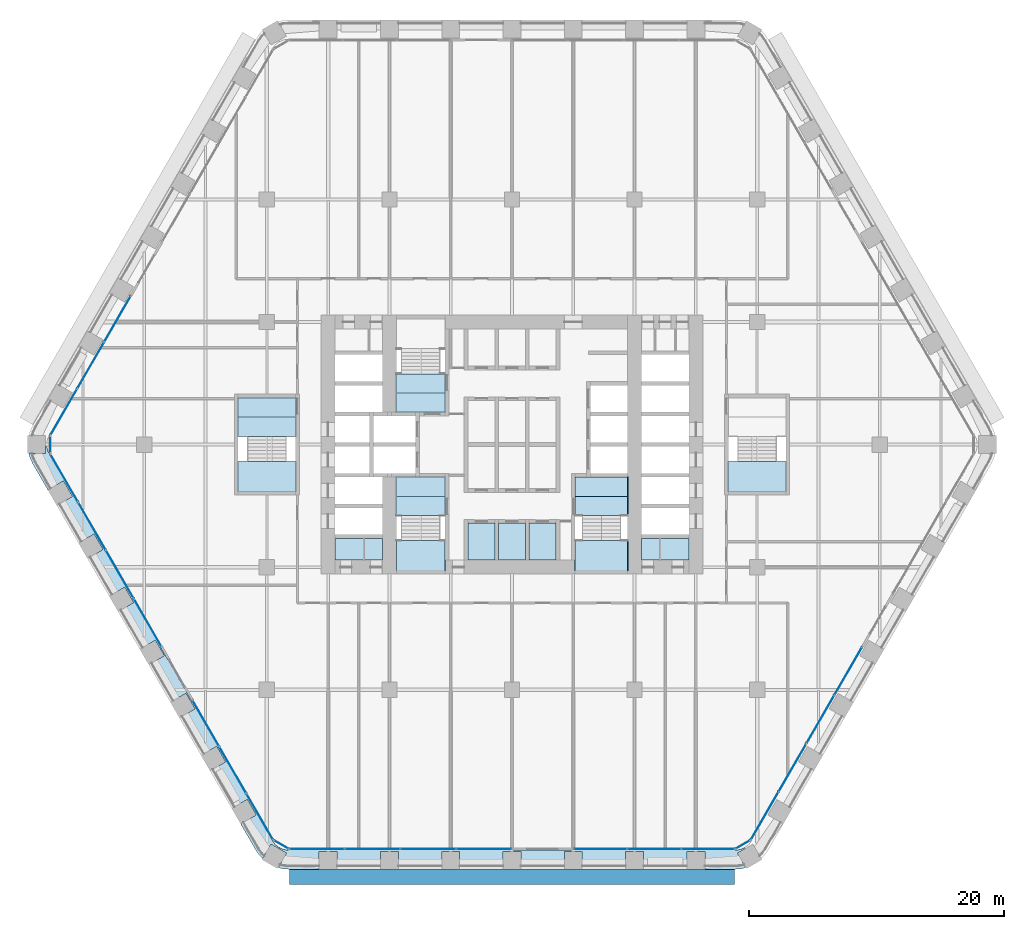
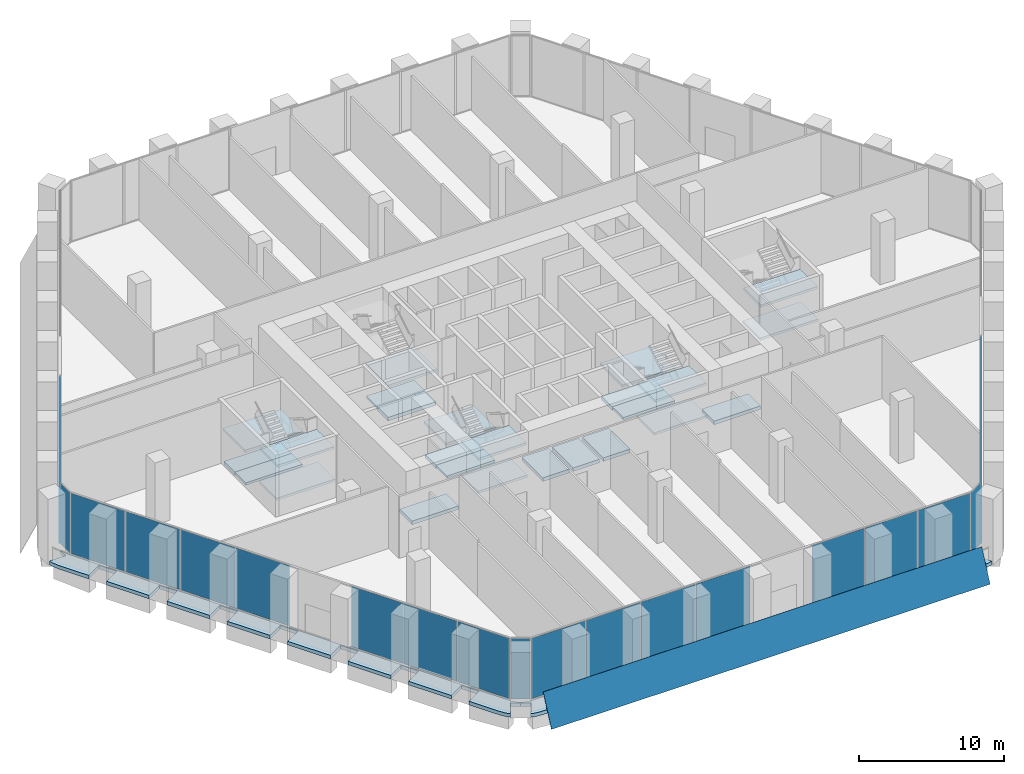
# One storey, part 15 of 27: 27 slabs, 25 plates, 14 elements without a shape of their own.
"""IFC4 building model written with IfcOpenShell, lengths in metres."""

from ifc_helpers import new_model, si_unit, direction, frame, origin, origin_2d, place, context, subcontext, project, spatial, polyline, rectangle, outline, extrude, material, layer, layer_set, type_object, element, aggregate, save


model = new_model("IFC4")

# Units and contexts
model_context = context("Model", 3, precision=1e-05, world=origin(), true_north=direction((0.0, 1.0)))
body_context = subcontext(model_context, "Body", "Model", "MODEL_VIEW")
ifc_project = project(units=[si_unit("LENGTHUNIT", "METRE"), si_unit("AREAUNIT", "SQUARE_METRE"), si_unit("VOLUMEUNIT", "CUBIC_METRE"), si_unit("PLANEANGLEUNIT", "RADIAN"), si_unit("MASSUNIT", "GRAM", prefix="KILO")], contexts=[model_context])

# Site, building, storey
site_placement = place(None, origin())
site = spatial("IfcSite", under=ifc_project, at=site_placement, CompositionType="ELEMENT")
building_placement = place(site_placement, origin())
building = spatial("IfcBuilding", under=site, at=building_placement, Name="Kolab Exchange Tower", CompositionType="ELEMENT")
storey_placement = place(building_placement, frame((0.0, 0.0, 66.39990234375)))
storey = spatial("IfcBuildingStorey", under=building, at=storey_placement, Name="L12", CompositionType="ELEMENT", Elevation=66.39990234375)

# Slabs
ifc_material_1 = material(Name="Concrete C35/45", Category="concrete")
ifc_layer_1 = layer(ifc_material_1, 0.300048828125)
ifc_layer_set_1 = layer_set([ifc_layer_1], Name="Concrete C35/45")
slab_type_1 = type_object("IfcSlabType", Name="FLOOR SLAB 300", PredefinedType="FLOOR", material=ifc_layer_set_1)
slab_1_placement = place(storey_placement, frame((0.0, 0.0, -0.2998046875)))
element("IfcSlab", 1, at=slab_1_placement, inside=storey, type_object=slab_type_1, Name="slab/L12/floor/8", PredefinedType="FLOOR", context=body_context, shape_type="SweptSolid", body=[
    extrude(outline(polyline([(-21.449951171875, 3.64990234375), (-21.449951171875, 2.14990234375), (-16.949951171875, 2.14990234375), (-16.949951171875, 3.64990234375), (-21.449951171875, 3.64990234375)])), origin(), (0.0, 0.0, 1.0), 0.2998046875),
])
slab_2_placement = place(storey_placement, frame((0.0, 0.0, -0.2998046875)))
element("IfcSlab", 2, at=slab_2_placement, inside=storey, type_object=slab_type_1, Name="slab/L12/floor/10", PredefinedType="FLOOR", context=body_context, shape_type="SweptSolid", body=[
    extrude(outline(polyline([(-10.14990234375, -9.050048828125), (-10.14990234375, -7.35009765625), (-13.85009765625, -7.35009765625), (-13.85009765625, -9.050048828125), (-10.14990234375, -9.050048828125)])), origin(), (0.0, 0.0, 1.0), 0.2998046875),
])
slab_3_placement = place(storey_placement, frame((0.0, 0.0, -0.2998046875)))
element("IfcSlab", 3, at=slab_3_placement, inside=storey, type_object=slab_type_1, Name="slab/L12/floor/12", PredefinedType="FLOOR", context=body_context, shape_type="SweptSolid", body=[
    extrude(outline(polyline([(10.14990234375, -7.35009765625), (10.14990234375, -9.050048828125), (13.85009765625, -9.050048828125), (13.85009765625, -7.35009765625), (10.14990234375, -7.35009765625)])), origin(), (0.0, 0.0, 1.0), 0.2998046875),
])
slab_4_placement = place(storey_placement, frame((0.0, 0.0, -0.2998046875)))
element("IfcSlab", 4, at=slab_4_placement, inside=storey, type_object=slab_type_1, Name="slab/L12/floor/14", PredefinedType="FLOOR", context=body_context, shape_type="SweptSolid", body=[
    extrude(outline(polyline([(9.050048828125, -4.050048828125), (9.050048828125, -2.550048828125), (6.14990234375, -2.550048828125), (5.85009765625, -2.550048828125), (4.949951171875, -2.550048828125), (4.949951171875, -4.050048828125), (9.050048828125, -4.050048828125)])), origin(), (0.0, 0.0, 1.0), 0.2998046875),
])
slab_5_placement = place(storey_placement, frame((0.0, 0.0, -0.2998046875)))
element("IfcSlab", 5, at=slab_5_placement, inside=storey, type_object=slab_type_1, Name="slab/L12/floor/15", PredefinedType="FLOOR", context=body_context, shape_type="SweptSolid", body=[
    extrude(outline(polyline([(1.050048828125, -6.14990234375), (-1.050048828125, -6.14990234375), (-1.050048828125, -9.050048828125), (1.050048828125, -9.050048828125), (1.050048828125, -6.14990234375)])), origin(), (0.0, 0.0, 1.0), 0.2998046875),
])
slab_6_placement = place(storey_placement, frame((0.0, 0.0, -0.2998046875)))
element("IfcSlab", 6, at=slab_6_placement, inside=storey, type_object=slab_type_1, Name="slab/L12/floor/17", PredefinedType="FLOOR", context=body_context, shape_type="SweptSolid", body=[
    extrude(outline(polyline([(-1.35009765625, -6.14990234375), (-3.449951171875, -6.14990234375), (-3.449951171875, -9.050048828125), (-1.35009765625, -9.050048828125), (-1.35009765625, -6.14990234375)])), origin(), (0.0, 0.0, 1.0), 0.2998046875),
])
slab_7_placement = place(storey_placement, frame((0.0, 0.0, -0.2998046875)))
element("IfcSlab", 7, at=slab_7_placement, inside=storey, type_object=slab_type_1, Name="slab/L12/floor/19", PredefinedType="FLOOR", context=body_context, shape_type="SweptSolid", body=[
    extrude(outline(polyline([(1.35009765625, -6.14990234375), (1.35009765625, -9.050048828125), (3.449951171875, -9.050048828125), (3.449951171875, -6.14990234375), (1.35009765625, -6.14990234375)])), origin(), (0.0, 0.0, 1.0), 0.2998046875),
])
slab_8_placement = place(storey_placement, frame((0.0, 0.0, -0.2998046875)))
element("IfcSlab", 8, at=slab_8_placement, inside=storey, type_object=slab_type_1, Name="slab/L12/floor/21", PredefinedType="FLOOR", context=body_context, shape_type="SweptSolid", body=[
    extrude(outline(polyline([(-9.050048828125, -4.050048828125), (-5.25, -4.050048828125), (-5.25, -2.550048828125), (-7.25, -2.550048828125), (-7.550048828125, -2.550048828125), (-9.050048828125, -2.550048828125), (-9.050048828125, -4.050048828125)])), origin(), (0.0, 0.0, 1.0), 0.2998046875),
])
slab_9_placement = place(storey_placement, frame((0.0, 0.0, -0.2998046875)))
element("IfcSlab", 9, at=slab_9_placement, inside=storey, type_object=slab_type_1, Name="slab/L12/floor/22", PredefinedType="FLOOR", context=body_context, shape_type="SweptSolid", body=[
    extrude(outline(polyline([(-5.25, 4.050048828125), (-9.050048828125, 4.050048828125), (-9.050048828125, 2.550048828125), (-7.550048828125, 2.550048828125), (-7.25, 2.550048828125), (-5.25, 2.550048828125), (-5.25, 4.050048828125)])), origin(), (0.0, 0.0, 1.0), 0.2998046875),
])
ifc_layer_2 = layer(ifc_material_1, 0.300048828125)
ifc_layer_set_2 = layer_set([ifc_layer_2], Name="Concrete C35/45")
slab_type_2 = type_object("IfcSlabType", Name="LOGGIA SLAB 300", PredefinedType="FLOOR", material=ifc_layer_set_2)
slab_10_placement = place(storey_placement, frame((0.0, 0.0, -0.2998046875)))
element("IfcSlab", 10, at=slab_10_placement, inside=storey, type_object=slab_type_2, Name="slab/L12/loggia/3-0", PredefinedType="FLOOR", context=body_context, shape_type="SweptSolid", body=[
    extrude(outline(polyline([(-18.218017578125, -31.554443359375), (-18.26806640625, -31.64111328125), (-17.66162109375, -31.990966796875), (-18.31494140625, -33.122314453125), (-17.989013671875, -33.209716796875), (-17.468017578125, -33.25537109375), (-15.10009765625, -33.25537109375), (-15.10009765625, -31.85546875), (-13.699951171875, -31.85546875), (-13.699951171875, -33.25537109375), (-10.300048828125, -33.25537109375), (-10.300048828125, -31.85546875), (-8.89990234375, -31.85546875), (-8.89990234375, -33.25537109375), (-5.5, -33.25537109375), (-5.5, -31.85546875), (-4.10009765625, -31.85546875), (-4.10009765625, -33.25537109375), (-0.699951171875, -33.25537109375), (-0.699951171875, -31.85546875), (0.699951171875, -31.85546875), (0.699951171875, -33.25537109375), (4.10009765625, -33.25537109375), (4.10009765625, -31.85546875), (5.5, -31.85546875), (5.5, -33.25537109375), (8.89990234375, -33.25537109375), (8.89990234375, -31.85546875), (10.300048828125, -31.85546875), (10.300048828125, -33.25537109375), (13.699951171875, -33.25537109375), (13.699951171875, -31.85546875), (15.10009765625, -31.85546875), (15.10009765625, -33.25537109375), (17.468017578125, -33.25537109375), (17.989013671875, -33.209716796875), (18.31494140625, -33.122314453125), (17.66162109375, -31.990966796875), (18.26806640625, -31.64111328125), (18.218017578125, -31.554443359375), (17.98095703125, -31.664794921875), (17.728515625, -31.732666015625), (17.468017578125, -31.75537109375), (-17.468017578125, -31.75537109375), (-17.728515625, -31.732666015625), (-17.98095703125, -31.664794921875), (-18.218017578125, -31.554443359375)])), origin(), (0.0, 0.0, 1.0), 0.2998046875),
])
slab_11_placement = place(storey_placement, frame((0.0, 0.0, -0.2998046875)))
element("IfcSlab", 11, at=slab_11_placement, inside=storey, type_object=slab_type_2, Name="slab/L12/loggia/4-0", PredefinedType="FLOOR", context=body_context, shape_type="SweptSolid", body=[
    extrude(outline(polyline([(-36.435791015625, 0.0), (-36.535888671875, 0.0), (-36.535888671875, -0.699951171875), (-37.84228515625, -0.699951171875), (-37.7548828125, -1.026123046875), (-37.533935546875, -1.5), (-36.35009765625, -3.55078125), (-35.137451171875, -2.8505859375), (-34.4375, -4.063232421875), (-35.64990234375, -4.76318359375), (-33.949951171875, -7.70751953125), (-32.737548828125, -7.007568359375), (-32.03759765625, -8.219970703125), (-33.25, -8.920166015625), (-31.550048828125, -11.864501953125), (-30.337646484375, -11.16455078125), (-29.637451171875, -12.376953125), (-30.85009765625, -13.076904296875), (-29.14990234375, -16.021484375), (-27.9375, -15.321533203125), (-27.237548828125, -16.533935546875), (-28.449951171875, -17.23388671875), (-26.75, -20.178466796875), (-25.53759765625, -19.478271484375), (-24.837646484375, -20.69091796875), (-26.050048828125, -21.390869140625), (-24.35009765625, -24.335205078125), (-23.137451171875, -23.63525390625), (-22.4375, -24.84765625), (-23.64990234375, -25.5478515625), (-21.949951171875, -28.4921875), (-20.737548828125, -27.792236328125), (-20.03759765625, -29.004638671875), (-21.25, -29.70458984375), (-20.06591796875, -31.75537109375), (-19.76611328125, -32.183837890625), (-19.52734375, -32.42236328125), (-18.874267578125, -31.291015625), (-18.26806640625, -31.64111328125), (-18.218017578125, -31.554443359375), (-18.43212890625, -31.404541015625), (-18.616943359375, -31.219482421875), (-18.76708984375, -31.00537109375), (-36.23486328125, -0.75), (-36.345458984375, -0.512939453125), (-36.4130859375, -0.260498046875), (-36.435791015625, 0.0)])), origin(), (0.0, 0.0, 1.0), 0.2998046875),
])

# Plate
ifc_material_2 = material(Name="Laminated glass, clear", Category="glass")
ifc_layer_3 = layer(ifc_material_2, 0.0400390625)
ifc_layer_set_3 = layer_set([ifc_layer_3], Name="Laminated glass, clear")
plate_type_1 = type_object("IfcPlateType", Name="OUTER SKIN LAMINATED GLASS SHEET 40", PredefinedType="SHEET", material=ifc_layer_set_3)
plate_1_placement = place(storey_placement, frame((17.41796875, -34.435302734375, -0.8330078125), z_axis=(0.0, -0.906309875243, 0.422613783538), x_axis=(-1.0, 0.0, 0.0)))
element("IfcPlate", 12, at=plate_1_placement, inside=storey, type_object=plate_type_1, Name="Outer skin", PredefinedType="SHEET", context=body_context, shape_type="SweptSolid", body=[
    extrude(outline(polyline([(0.0, 0.0), (34.8359375, 0.0), (34.8359375, -2.7059095846952848), (0.0, -2.7059095846952848), (0.0, 0.0)])), origin(), (0.0, 0.0, -1.0), 0.0400390625),
])

# Stair, slabs
ifc_material_3 = material(Name="Concrete C50/60", Category="concrete")
stair_type_1 = type_object("IfcStairType", Name="STAIR ST1 RISER 171.9", PredefinedType="DOUBLE_RETURN_STAIR", material=ifc_material_3)
stair_1_placement = place(storey_placement, origin())
stair_1 = element("IfcStair", 13, at=stair_1_placement, inside=storey, type_object=stair_type_1, Name="Stair 1", PredefinedType="DOUBLE_RETURN_STAIR")
ifc_layer_4 = layer(ifc_material_3, 0.199951171875)
ifc_layer_set_4 = layer_set([ifc_layer_4], Name="Concrete C50/60")
slab_type_3 = type_object("IfcSlabType", Name="STAIR LANDING 200", PredefinedType="LANDING", material=ifc_layer_set_4)
slab_12_placement = place(storey_placement, frame((0.0, 0.0, -0.199951171875)))
slab_12 = element("IfcSlab", 14, at=slab_12_placement, type_object=slab_type_3, Name="ST1 landing 1", PredefinedType="LANDING", context=body_context, shape_type="SweptSolid", body=[
    extrude(outline(polyline([(-9.050048828125, 4.050048828125), (-5.25, 4.050048828125), (-5.25, 5.550048828125), (-9.050048828125, 5.550048828125), (-9.050048828125, 4.050048828125)])), origin(), (0.0, 0.0, 1.0), 0.199951171875),
])
slab_13_placement = place(storey_placement, frame((0.0, 0.0, 2.550048828125)))
slab_13 = element("IfcSlab", 15, at=slab_13_placement, type_object=slab_type_3, Name="ST1 landing 3", PredefinedType="LANDING", context=body_context, shape_type="SweptSolid", body=[
    extrude(outline(polyline([(-9.110107421875, 2.489990234375), (-5.18994140625, 2.489990234375), (-5.18994140625, 5.550048828125), (-9.110107421875, 5.550048828125), (-9.110107421875, 2.489990234375)])), origin(), (0.0, 0.0, 1.0), 0.199951171875),
])
aggregate(stair_1, [slab_12, slab_13])

stair_type_2 = type_object("IfcStairType", Name="STAIR ST3 RISER 171.9", PredefinedType="DOUBLE_RETURN_STAIR", material=ifc_material_3)
stair_2_placement = place(storey_placement, origin())
stair_2 = element("IfcStair", 16, at=stair_2_placement, inside=storey, type_object=stair_type_2, Name="Stair 3", PredefinedType="DOUBLE_RETURN_STAIR")
slab_14_placement = place(storey_placement, frame((0.0, 0.0, -0.199951171875)))
slab_14 = element("IfcSlab", 17, at=slab_14_placement, type_object=slab_type_3, Name="ST3 landing 1", PredefinedType="LANDING", context=body_context, shape_type="SweptSolid", body=[
    extrude(outline(polyline([(-9.050048828125, -5.550048828125), (-5.25, -5.550048828125), (-5.25, -4.050048828125), (-9.050048828125, -4.050048828125), (-9.050048828125, -5.550048828125)])), origin(), (0.0, 0.0, 1.0), 0.199951171875),
])
slab_15_placement = place(storey_placement, frame((0.0, 0.0, 1.175048828125)))
slab_15 = element("IfcSlab", 18, at=slab_15_placement, type_object=slab_type_3, Name="ST3 landing 2", PredefinedType="LANDING", context=body_context, shape_type="SweptSolid", body=[
    extrude(outline(polyline([(-9.110107421875, -9.909912109375), (-5.18994140625, -9.909912109375), (-5.18994140625, -7.510009765625), (-9.110107421875, -7.510009765625), (-9.110107421875, -9.909912109375)])), origin(), (0.0, 0.0, 1.0), 0.199951171875),
])
slab_16_placement = place(storey_placement, frame((0.0, 0.0, 2.550048828125)))
slab_16 = element("IfcSlab", 19, at=slab_16_placement, type_object=slab_type_3, Name="ST3 landing 3", PredefinedType="LANDING", context=body_context, shape_type="SweptSolid", body=[
    extrude(outline(polyline([(-9.110107421875, -5.550048828125), (-5.18994140625, -5.550048828125), (-5.18994140625, -2.489990234375), (-9.110107421875, -2.489990234375), (-9.110107421875, -5.550048828125)])), origin(), (0.0, 0.0, 1.0), 0.199951171875),
])
slab_17_placement = place(storey_placement, frame((0.0, 0.0, 3.925048828125)))
slab_17 = element("IfcSlab", 20, at=slab_17_placement, type_object=slab_type_3, Name="ST3 landing 4", PredefinedType="LANDING", context=body_context, shape_type="SweptSolid", body=[
    extrude(outline(polyline([(-9.050048828125, -9.909912109375), (-5.25, -9.909912109375), (-5.25, -7.510009765625), (-9.050048828125, -7.510009765625), (-9.050048828125, -9.909912109375)])), origin(), (0.0, 0.0, 1.0), 0.199951171875),
])
aggregate(stair_2, [slab_14, slab_15, slab_16, slab_17])

stair_type_3 = type_object("IfcStairType", Name="STAIR ST2 RISER 171.9", PredefinedType="DOUBLE_RETURN_STAIR", material=ifc_material_3)
stair_3_placement = place(storey_placement, origin())
stair_3 = element("IfcStair", 21, at=stair_3_placement, inside=storey, type_object=stair_type_3, Name="Stair 2", PredefinedType="DOUBLE_RETURN_STAIR")
slab_18_placement = place(storey_placement, frame((0.0, 0.0, -0.199951171875)))
slab_18 = element("IfcSlab", 22, at=slab_18_placement, type_object=slab_type_3, Name="ST2 landing 1", PredefinedType="LANDING", context=body_context, shape_type="SweptSolid", body=[
    extrude(outline(polyline([(4.949951171875, -5.550048828125), (9.050048828125, -5.550048828125), (9.050048828125, -4.050048828125), (4.949951171875, -4.050048828125), (4.949951171875, -5.550048828125)])), origin(), (0.0, 0.0, 1.0), 0.199951171875),
])
slab_19_placement = place(storey_placement, frame((0.0, 0.0, 1.175048828125)))
slab_19 = element("IfcSlab", 23, at=slab_19_placement, type_object=slab_type_3, Name="ST2 landing 2", PredefinedType="LANDING", context=body_context, shape_type="SweptSolid", body=[
    extrude(outline(polyline([(4.889892578125, -9.909912109375), (9.110107421875, -9.909912109375), (9.110107421875, -7.510009765625), (4.889892578125, -7.510009765625), (4.889892578125, -9.909912109375)])), origin(), (0.0, 0.0, 1.0), 0.199951171875),
])
slab_20_placement = place(storey_placement, frame((0.0, 0.0, 2.550048828125)))
slab_20 = element("IfcSlab", 24, at=slab_20_placement, type_object=slab_type_3, Name="ST2 landing 3", PredefinedType="LANDING", context=body_context, shape_type="SweptSolid", body=[
    extrude(outline(polyline([(4.889892578125, -5.550048828125), (9.110107421875, -5.550048828125), (9.110107421875, -2.489990234375), (4.889892578125, -2.489990234375), (4.889892578125, -5.550048828125)])), origin(), (0.0, 0.0, 1.0), 0.199951171875),
])
slab_21_placement = place(storey_placement, frame((0.0, 0.0, 3.925048828125)))
slab_21 = element("IfcSlab", 25, at=slab_21_placement, type_object=slab_type_3, Name="ST2 landing 4", PredefinedType="LANDING", context=body_context, shape_type="SweptSolid", body=[
    extrude(outline(polyline([(4.949951171875, -9.909912109375), (9.050048828125, -9.909912109375), (9.050048828125, -7.510009765625), (4.949951171875, -7.510009765625), (4.949951171875, -9.909912109375)])), origin(), (0.0, 0.0, 1.0), 0.199951171875),
])
aggregate(stair_3, [slab_18, slab_19, slab_20, slab_21])

stair_type_4 = type_object("IfcStairType", Name="STAIR ST4 RISER 171.9", PredefinedType="DOUBLE_RETURN_STAIR", material=ifc_material_3)
stair_4_placement = place(storey_placement, origin())
stair_4 = element("IfcStair", 26, at=stair_4_placement, inside=storey, type_object=stair_type_4, Name="Stair 4", PredefinedType="DOUBLE_RETURN_STAIR")
slab_22_placement = place(storey_placement, frame((0.0, 0.0, 1.175048828125)))
slab_22 = element("IfcSlab", 27, at=slab_22_placement, type_object=slab_type_3, Name="ST4 landing 2", PredefinedType="LANDING", context=body_context, shape_type="SweptSolid", body=[
    extrude(outline(polyline([(16.889892578125, -3.7099609375), (21.510009765625, -3.7099609375), (21.510009765625, -1.31005859375), (16.889892578125, -1.31005859375), (16.889892578125, -3.7099609375)])), origin(), (0.0, 0.0, 1.0), 0.199951171875),
])
slab_23_placement = place(storey_placement, frame((0.0, 0.0, 3.925048828125)))
slab_23 = element("IfcSlab", 28, at=slab_23_placement, type_object=slab_type_3, Name="ST4 landing 4", PredefinedType="LANDING", context=body_context, shape_type="SweptSolid", body=[
    extrude(outline(polyline([(16.949951171875, -3.7099609375), (21.449951171875, -3.7099609375), (21.449951171875, -1.31005859375), (16.949951171875, -1.31005859375), (16.949951171875, -3.7099609375)])), origin(), (0.0, 0.0, 1.0), 0.199951171875),
])
aggregate(stair_4, [slab_22, slab_23])

stair_type_5 = type_object("IfcStairType", Name="STAIR ST5 RISER 171.9", PredefinedType="DOUBLE_RETURN_STAIR", material=ifc_material_3)
stair_5_placement = place(storey_placement, origin())
stair_5 = element("IfcStair", 29, at=stair_5_placement, inside=storey, type_object=stair_type_5, Name="Stair 5", PredefinedType="DOUBLE_RETURN_STAIR")
slab_24_placement = place(storey_placement, frame((0.0, 0.0, -0.199951171875)))
slab_24 = element("IfcSlab", 30, at=slab_24_placement, type_object=slab_type_3, Name="ST5 landing 1", PredefinedType="LANDING", context=body_context, shape_type="SweptSolid", body=[
    extrude(outline(polyline([(-21.449951171875, 0.64990234375), (-16.949951171875, 0.64990234375), (-16.949951171875, 2.14990234375), (-21.449951171875, 2.14990234375), (-21.449951171875, 0.64990234375)])), origin(), (0.0, 0.0, 1.0), 0.199951171875),
])
slab_25_placement = place(storey_placement, frame((0.0, 0.0, 1.175048828125)))
slab_25 = element("IfcSlab", 31, at=slab_25_placement, type_object=slab_type_3, Name="ST5 landing 2", PredefinedType="LANDING", context=body_context, shape_type="SweptSolid", body=[
    extrude(outline(polyline([(-21.510009765625, -3.7099609375), (-16.889892578125, -3.7099609375), (-16.889892578125, -1.31005859375), (-21.510009765625, -1.31005859375), (-21.510009765625, -3.7099609375)])), origin(), (0.0, 0.0, 1.0), 0.199951171875),
])
slab_26_placement = place(storey_placement, frame((0.0, 0.0, 2.550048828125)))
slab_26 = element("IfcSlab", 32, at=slab_26_placement, type_object=slab_type_3, Name="ST5 landing 3", PredefinedType="LANDING", context=body_context, shape_type="SweptSolid", body=[
    extrude(outline(polyline([(-21.510009765625, 0.64990234375), (-16.889892578125, 0.64990234375), (-16.889892578125, 3.7099609375), (-21.510009765625, 3.7099609375), (-21.510009765625, 0.64990234375)])), origin(), (0.0, 0.0, 1.0), 0.199951171875),
])
slab_27_placement = place(storey_placement, frame((0.0, 0.0, 3.925048828125)))
slab_27 = element("IfcSlab", 33, at=slab_27_placement, type_object=slab_type_3, Name="ST5 landing 4", PredefinedType="LANDING", context=body_context, shape_type="SweptSolid", body=[
    extrude(outline(polyline([(-21.449951171875, -3.7099609375), (-16.949951171875, -3.7099609375), (-16.949951171875, -1.31005859375), (-21.449951171875, -1.31005859375), (-21.449951171875, -3.7099609375)])), origin(), (0.0, 0.0, 1.0), 0.199951171875),
])
aggregate(stair_5, [slab_24, slab_25, slab_26, slab_27])

# Curtain wall, plates
ifc_material_4 = material(Name="Aluminium EN AW-6063 T6", Category="aluminium")
curtain_wall_type = type_object("IfcCurtainWallType", Name="UNITISED LOW ZONE CURTAIN WALL", PredefinedType="NOTDEFINED", material=ifc_material_4)
curtain_wall_1_placement = place(storey_placement, origin())
curtain_wall_1 = element("IfcCurtainWall", 34, at=curtain_wall_1_placement, inside=storey, type_object=curtain_wall_type, Name="cw/L12/F3-2", PredefinedType="NOTDEFINED")
ifc_material_5 = material(Name="Clear insulated glazing unit", Category="glass")
ifc_layer_5 = layer(ifc_material_5, 0.02392578125)
ifc_layer_set_5 = layer_set([ifc_layer_5], Name="Clear insulated glazing unit")
plate_type_2 = type_object("IfcPlateType", Name="UNITISED LOW ZONE GLASS PANEL 24", PredefinedType="CURTAIN_PANEL", material=ifc_layer_set_5)
plate_2_placement = place(storey_placement, frame((26.33251953125, -17.74169921875, 0.06005859375), z_axis=(0.0, 0.0, 1.0), x_axis=(-0.5000000112, -0.866025397318, 0.0)))
plate_2 = element("IfcPlate", 35, at=plate_2_placement, type_object=plate_type_2, Name="CW1 panel 1.1", PredefinedType="CURTAIN_PANEL", context=body_context, shape_type="SweptSolid", body=[
    extrude(rectangle(XDim=4.277099609375, YDim=0.02392578125, at=origin_2d()), origin(), (0.0, 0.0, 1.0), 5.080078125),
])
plate_3_placement = place(storey_placement, frame((24.156494140625, -21.510498046875, 0.06005859375), z_axis=(0.0, 0.0, 1.0), x_axis=(-0.5000000112, -0.866025397318, 0.0)))
plate_3 = element("IfcPlate", 36, at=plate_3_placement, type_object=plate_type_2, Name="CW1 panel 2.1", PredefinedType="CURTAIN_PANEL", context=body_context, shape_type="SweptSolid", body=[
    extrude(rectangle(XDim=4.306884765625, YDim=0.02392578125, at=origin_2d()), origin(), (0.0, 0.0, 1.0), 5.080078125),
])
plate_4_placement = place(storey_placement, frame((21.972900390625, -25.29248046875, 0.06005859375), z_axis=(0.0, 0.0, 1.0), x_axis=(-0.5000000112, -0.866025397318, 0.0)))
plate_4 = element("IfcPlate", 37, at=plate_4_placement, type_object=plate_type_2, Name="CW1 panel 3.1", PredefinedType="CURTAIN_PANEL", context=body_context, shape_type="SweptSolid", body=[
    extrude(rectangle(XDim=4.306884765625, YDim=0.02392578125, at=origin_2d()), origin(), (0.0, 0.0, 1.0), 5.080078125),
])
plate_5_placement = place(storey_placement, frame((19.796875, -29.0615234375, 0.06005859375), z_axis=(0.0, 0.0, 1.0), x_axis=(-0.5000000112, -0.866025397318, 0.0)))
plate_5 = element("IfcPlate", 38, at=plate_5_placement, type_object=plate_type_2, Name="CW1 panel 4.1", PredefinedType="CURTAIN_PANEL", context=body_context, shape_type="SweptSolid", body=[
    extrude(rectangle(XDim=4.277099609375, YDim=0.02392578125, at=origin_2d()), origin(), (0.0, 0.0, 1.0), 5.080078125),
])
aggregate(curtain_wall_1, [plate_2, plate_3, plate_4, plate_5])

curtain_wall_2_placement = place(storey_placement, origin())
curtain_wall_2 = element("IfcCurtainWall", 39, at=curtain_wall_2_placement, inside=storey, type_object=curtain_wall_type, Name="cw/L12/F4-1", PredefinedType="NOTDEFINED")
plate_6_placement = place(storey_placement, frame((15.341552734375, -31.67529296875, 0.06005859375), z_axis=(0.0, 0.0, 1.0), x_axis=(-1.0, 0.0, 0.0)))
plate_6 = element("IfcPlate", 40, at=plate_6_placement, type_object=plate_type_2, Name="CW1 panel 1.1", PredefinedType="CURTAIN_PANEL", context=body_context, shape_type="SweptSolid", body=[
    extrude(rectangle(XDim=4.132568359375, YDim=0.02392578125, at=origin_2d()), origin(), (0.0, 0.0, 1.0), 5.080078125),
])
plate_7_placement = place(storey_placement, frame((11.134033203125, -31.67529296875, 0.06005859375), z_axis=(0.0, 0.0, 1.0), x_axis=(-1.0, 0.0, 0.0)))
plate_7 = element("IfcPlate", 41, at=plate_7_placement, type_object=plate_type_2, Name="CW1 panel 2.1", PredefinedType="CURTAIN_PANEL", context=body_context, shape_type="SweptSolid", body=[
    extrude(rectangle(XDim=4.16259765625, YDim=0.02392578125, at=origin_2d()), origin(), (0.0, 0.0, 1.0), 5.080078125),
])
plate_8_placement = place(storey_placement, frame((6.92626953125, -31.67529296875, 0.06005859375), z_axis=(0.0, 0.0, 1.0), x_axis=(-1.0, 0.0, 0.0)))
plate_8 = element("IfcPlate", 42, at=plate_8_placement, type_object=plate_type_2, Name="CW1 panel 3.1", PredefinedType="CURTAIN_PANEL", context=body_context, shape_type="SweptSolid", body=[
    extrude(rectangle(XDim=4.132568359375, YDim=0.02392578125, at=origin_2d()), origin(), (0.0, 0.0, 1.0), 5.080078125),
])
aggregate(curtain_wall_2, [plate_6, plate_7, plate_8])

curtain_wall_3_placement = place(storey_placement, origin())
curtain_wall_3 = element("IfcCurtainWall", 43, at=curtain_wall_3_placement, inside=storey, type_object=curtain_wall_type, Name="cw/L12/F4-2", PredefinedType="NOTDEFINED")
plate_9_placement = place(storey_placement, frame((-2.198486328125, -31.67529296875, 0.06005859375), z_axis=(0.0, 0.0, 1.0), x_axis=(-1.0, 0.0, 0.0)))
plate_9 = element("IfcPlate", 44, at=plate_9_placement, type_object=plate_type_2, Name="CW1 panel 1.1", PredefinedType="CURTAIN_PANEL", context=body_context, shape_type="SweptSolid", body=[
    extrude(rectangle(XDim=4.277099609375, YDim=0.02392578125, at=origin_2d()), origin(), (0.0, 0.0, 1.0), 5.080078125),
])
plate_10_placement = place(storey_placement, frame((-6.550537109375, -31.67529296875, 0.06005859375), z_axis=(0.0, 0.0, 1.0), x_axis=(-1.0, 0.0, 0.0)))
plate_10 = element("IfcPlate", 45, at=plate_10_placement, type_object=plate_type_2, Name="CW1 panel 2.1", PredefinedType="CURTAIN_PANEL", context=body_context, shape_type="SweptSolid", body=[
    extrude(rectangle(XDim=4.306884765625, YDim=0.02392578125, at=origin_2d()), origin(), (0.0, 0.0, 1.0), 5.080078125),
])
plate_11_placement = place(storey_placement, frame((-10.91748046875, -31.67529296875, 0.06005859375), z_axis=(0.0, 0.0, 1.0), x_axis=(-1.0, 0.0, 0.0)))
plate_11 = element("IfcPlate", 46, at=plate_11_placement, type_object=plate_type_2, Name="CW1 panel 3.1", PredefinedType="CURTAIN_PANEL", context=body_context, shape_type="SweptSolid", body=[
    extrude(rectangle(XDim=4.306884765625, YDim=0.02392578125, at=origin_2d()), origin(), (0.0, 0.0, 1.0), 5.080078125),
])
plate_12_placement = place(storey_placement, frame((-15.26953125, -31.67529296875, 0.06005859375), z_axis=(0.0, 0.0, 1.0), x_axis=(-1.0, 0.0, 0.0)))
plate_12 = element("IfcPlate", 47, at=plate_12_placement, type_object=plate_type_2, Name="CW1 panel 4.1", PredefinedType="CURTAIN_PANEL", context=body_context, shape_type="SweptSolid", body=[
    extrude(rectangle(XDim=4.277099609375, YDim=0.02392578125, at=origin_2d()), origin(), (0.0, 0.0, 1.0), 5.080078125),
])
aggregate(curtain_wall_3, [plate_9, plate_10, plate_11, plate_12])

curtain_wall_4_placement = place(storey_placement, origin())
curtain_wall_4 = element("IfcCurtainWall", 48, at=curtain_wall_4_placement, inside=storey, type_object=curtain_wall_type, Name="cw/L12/F5-1", PredefinedType="NOTDEFINED")
plate_13_placement = place(storey_placement, frame((-19.760986328125, -29.1240234375, 0.06005859375), z_axis=(0.0, 0.0, 1.0), x_axis=(-0.500000017564, 0.866025393644, 0.0)))
plate_13 = element("IfcPlate", 49, at=plate_13_placement, type_object=plate_type_2, Name="CW1 panel 1.1", PredefinedType="CURTAIN_PANEL", context=body_context, shape_type="SweptSolid", body=[
    extrude(rectangle(XDim=4.132568359375, YDim=0.02392578125, at=origin_2d()), origin(), (0.0, 0.0, 1.0), 5.080078125),
])
plate_14_placement = place(storey_placement, frame((-21.86474609375, -25.47998046875, 0.06005859375), z_axis=(0.0, 0.0, 1.0), x_axis=(-0.500000017564, 0.866025393644, 0.0)))
plate_14 = element("IfcPlate", 50, at=plate_14_placement, type_object=plate_type_2, Name="CW1 panel 2.1", PredefinedType="CURTAIN_PANEL", context=body_context, shape_type="SweptSolid", body=[
    extrude(rectangle(XDim=4.16259765625, YDim=0.02392578125, at=origin_2d()), origin(), (0.0, 0.0, 1.0), 5.080078125),
])
plate_15_placement = place(storey_placement, frame((-23.968505859375, -21.836181640625, 0.06005859375), z_axis=(0.0, 0.0, 1.0), x_axis=(-0.500000017564, 0.866025393644, 0.0)))
plate_15 = element("IfcPlate", 51, at=plate_15_placement, type_object=plate_type_2, Name="CW1 panel 3.1", PredefinedType="CURTAIN_PANEL", context=body_context, shape_type="SweptSolid", body=[
    extrude(rectangle(XDim=4.132568359375, YDim=0.02392578125, at=origin_2d()), origin(), (0.0, 0.0, 1.0), 5.080078125),
])
aggregate(curtain_wall_4, [plate_13, plate_14, plate_15])

curtain_wall_5_placement = place(storey_placement, origin())
curtain_wall_5 = element("IfcCurtainWall", 52, at=curtain_wall_5_placement, inside=storey, type_object=curtain_wall_type, Name="cw/L12/F5-2", PredefinedType="NOTDEFINED")
plate_16_placement = place(storey_placement, frame((-28.531005859375, -13.933837890625, 0.06005859375), z_axis=(0.0, 0.0, 1.0), x_axis=(-0.499999968274, 0.866025422102, 0.0)))
plate_16 = element("IfcPlate", 53, at=plate_16_placement, type_object=plate_type_2, Name="CW1 panel 1.1", PredefinedType="CURTAIN_PANEL", context=body_context, shape_type="SweptSolid", body=[
    extrude(rectangle(XDim=4.277099609375, YDim=0.02392578125, at=origin_2d()), origin(), (0.0, 0.0, 1.0), 5.080078125),
])
plate_17_placement = place(storey_placement, frame((-30.70703125, -10.164794921875, 0.06005859375), z_axis=(0.0, 0.0, 1.0), x_axis=(-0.499999968274, 0.866025422102, 0.0)))
plate_17 = element("IfcPlate", 54, at=plate_17_placement, type_object=plate_type_2, Name="CW1 panel 2.1", PredefinedType="CURTAIN_PANEL", context=body_context, shape_type="SweptSolid", body=[
    extrude(rectangle(XDim=4.306884765625, YDim=0.02392578125, at=origin_2d()), origin(), (0.0, 0.0, 1.0), 5.080078125),
])
plate_18_placement = place(storey_placement, frame((-32.890380859375, -6.3828125, 0.06005859375), z_axis=(0.0, 0.0, 1.0), x_axis=(-0.499999968274, 0.866025422102, 0.0)))
plate_18 = element("IfcPlate", 55, at=plate_18_placement, type_object=plate_type_2, Name="CW1 panel 3.1", PredefinedType="CURTAIN_PANEL", context=body_context, shape_type="SweptSolid", body=[
    extrude(rectangle(XDim=4.306884765625, YDim=0.02392578125, at=origin_2d()), origin(), (0.0, 0.0, 1.0), 5.080078125),
])
plate_19_placement = place(storey_placement, frame((-35.06640625, -2.614013671875, 0.06005859375), z_axis=(0.0, 0.0, 1.0), x_axis=(-0.499999968274, 0.866025422102, 0.0)))
plate_19 = element("IfcPlate", 56, at=plate_19_placement, type_object=plate_type_2, Name="CW1 panel 4.1", PredefinedType="CURTAIN_PANEL", context=body_context, shape_type="SweptSolid", body=[
    extrude(rectangle(XDim=4.277099609375, YDim=0.02392578125, at=origin_2d()), origin(), (0.0, 0.0, 1.0), 5.080078125),
])
aggregate(curtain_wall_5, [plate_16, plate_17, plate_18, plate_19])

curtain_wall_6_placement = place(storey_placement, origin())
curtain_wall_6 = element("IfcCurtainWall", 57, at=curtain_wall_6_placement, inside=storey, type_object=curtain_wall_type, Name="cw/L12/F6-1", PredefinedType="NOTDEFINED")
plate_20_placement = place(storey_placement, frame((-35.1025390625, 2.551513671875, 0.06005859375), z_axis=(0.0, 0.0, 1.0), x_axis=(0.499999958358, 0.866025427826, 0.0)))
plate_20 = element("IfcPlate", 58, at=plate_20_placement, type_object=plate_type_2, Name="CW1 panel 1.1", PredefinedType="CURTAIN_PANEL", context=body_context, shape_type="SweptSolid", body=[
    extrude(rectangle(XDim=4.132568359375, YDim=0.02392578125, at=origin_2d()), origin(), (0.0, 0.0, 1.0), 5.080078125),
])
plate_21_placement = place(storey_placement, frame((-32.998779296875, 6.1953125, 0.06005859375), z_axis=(0.0, 0.0, 1.0), x_axis=(0.499999958358, 0.866025427826, 0.0)))
plate_21 = element("IfcPlate", 59, at=plate_21_placement, type_object=plate_type_2, Name="CW1 panel 2.1", PredefinedType="CURTAIN_PANEL", context=body_context, shape_type="SweptSolid", body=[
    extrude(rectangle(XDim=4.16259765625, YDim=0.02392578125, at=origin_2d()), origin(), (0.0, 0.0, 1.0), 5.080078125),
])
plate_22_placement = place(storey_placement, frame((-30.894775390625, 9.83935546875, 0.06005859375), z_axis=(0.0, 0.0, 1.0), x_axis=(0.499999958358, 0.866025427826, 0.0)))
plate_22 = element("IfcPlate", 60, at=plate_22_placement, type_object=plate_type_2, Name="CW1 panel 3.1", PredefinedType="CURTAIN_PANEL", context=body_context, shape_type="SweptSolid", body=[
    extrude(rectangle(XDim=4.132568359375, YDim=0.02392578125, at=origin_2d()), origin(), (0.0, 0.0, 1.0), 5.080078125),
])
aggregate(curtain_wall_6, [plate_20, plate_21, plate_22])

# Curtain wall, plate
curtain_wall_7_placement = place(storey_placement, origin())
curtain_wall_7 = element("IfcCurtainWall", 61, at=curtain_wall_7_placement, inside=storey, type_object=curtain_wall_type, Name="cw/L12/F3F4-corner", PredefinedType="NOTDEFINED")
plate_23_placement = place(storey_placement, frame((18.082763671875, -31.3203125, 0.06005859375), z_axis=(0.0, 0.0, 1.0), x_axis=(-0.866025390869, -0.50000002237, 0.0)))
plate_23 = element("IfcPlate", 62, at=plate_23_placement, type_object=plate_type_2, Name="CW1 panel 1.1", PredefinedType="CURTAIN_PANEL", context=body_context, shape_type="SweptSolid", body=[
    extrude(rectangle(XDim=1.300048828125, YDim=0.02392578125, at=origin_2d()), origin(), (0.0, 0.0, 1.0), 5.080078125),
])
aggregate(curtain_wall_7, [plate_23])

curtain_wall_8_placement = place(storey_placement, origin())
curtain_wall_8 = element("IfcCurtainWall", 63, at=curtain_wall_8_placement, inside=storey, type_object=curtain_wall_type, Name="cw/L12/F4F5-corner", PredefinedType="NOTDEFINED")
plate_24_placement = place(storey_placement, frame((-18.082763671875, -31.3203125, 0.06005859375), z_axis=(0.0, 0.0, 1.0), x_axis=(-0.866025390869, 0.50000002237, 0.0)))
plate_24 = element("IfcPlate", 64, at=plate_24_placement, type_object=plate_type_2, Name="CW1 panel 1.1", PredefinedType="CURTAIN_PANEL", context=body_context, shape_type="SweptSolid", body=[
    extrude(rectangle(XDim=1.300048828125, YDim=0.02392578125, at=origin_2d()), origin(), (0.0, 0.0, 1.0), 5.080078125),
])
aggregate(curtain_wall_8, [plate_24])

curtain_wall_9_placement = place(storey_placement, origin())
curtain_wall_9 = element("IfcCurtainWall", 65, at=curtain_wall_9_placement, inside=storey, type_object=curtain_wall_type, Name="cw/L12/F5F6-corner", PredefinedType="NOTDEFINED")
plate_25_placement = place(storey_placement, frame((-36.165771484375, 0.0, 0.06005859375), z_axis=(0.0, 0.0, 1.0), x_axis=(0.0, 1.0, 0.0)))
plate_25 = element("IfcPlate", 66, at=plate_25_placement, type_object=plate_type_2, Name="CW1 panel 1.1", PredefinedType="CURTAIN_PANEL", context=body_context, shape_type="SweptSolid", body=[
    extrude(rectangle(XDim=1.300048828125, YDim=0.02392578125, at=origin_2d()), origin(), (0.0, 0.0, 1.0), 5.080078125),
])
aggregate(curtain_wall_9, [plate_25])

save(model, "model.ifc")
